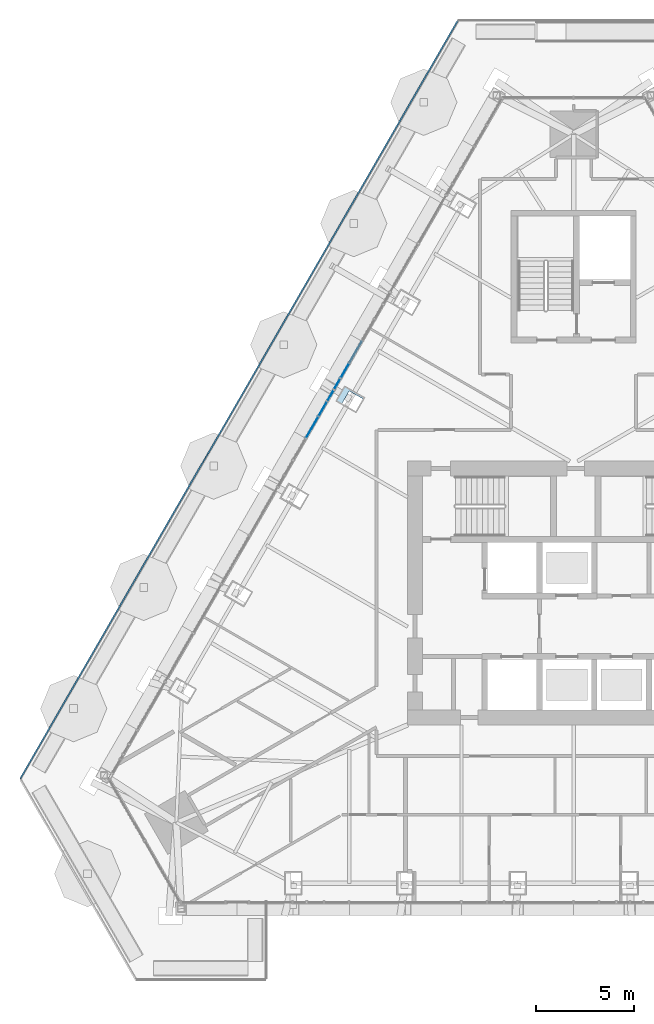
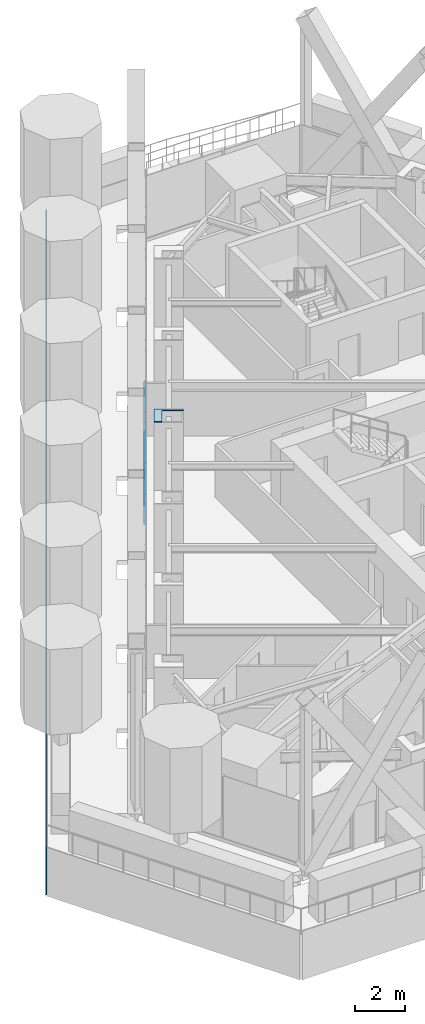
# One storey, part 12 of 24: 9 plates, 1 element without a shape of its own.
"""IFC4 building model written with IfcOpenShell, lengths in metres."""

from ifc_helpers import new_model, si_unit, direction, frame, origin, place, context, subcontext, project, spatial, polyline, outline, extrude, material, layer, layer_set, type_object, element, aggregate, save


model = new_model("IFC4")

# Units and contexts
model_context = context("Model", 3, precision=1e-05, world=origin(), true_north=direction((0.0, 1.0)))
body_context = subcontext(model_context, "Body", "Model", "MODEL_VIEW")
ifc_project = project(units=[si_unit("LENGTHUNIT", "METRE"), si_unit("AREAUNIT", "SQUARE_METRE"), si_unit("VOLUMEUNIT", "CUBIC_METRE"), si_unit("PLANEANGLEUNIT", "RADIAN"), si_unit("MASSUNIT", "GRAM", prefix="KILO")], contexts=[model_context])

# Site, building, storey
site_placement = place(None, origin())
site = spatial("IfcSite", under=ifc_project, at=site_placement, CompositionType="ELEMENT")
building_placement = place(site_placement, origin())
building = spatial("IfcBuilding", under=site, at=building_placement, Name="Firuza Gate Tower and Library", CompositionType="ELEMENT")
storey_placement = place(building_placement, frame((0.0, 0.0, 323.10009765625)))
storey = spatial("IfcBuildingStorey", under=building, at=storey_placement, Name="L79", CompositionType="ELEMENT", Elevation=323.10009765625)

# Plate
ifc_material_1 = material(Name="Steel S355", Category="steel")
ifc_layer_1 = layer(ifc_material_1, 0.030029296875)
ifc_layer_set_1 = layer_set([ifc_layer_1], Name="Column infill plate 30 Steel S355")
plate_type_1 = type_object("IfcPlateType", Name="Column infill plate 30 Steel S355", PredefinedType="SHEET", material=ifc_layer_set_1)
plate_1_placement = place(storey_placement, frame((0.0, 0.0, 3.5)))
element("IfcPlate", 1, at=plate_1_placement, inside=storey, type_object=plate_type_1, Name="Infill plate L79:W3", PredefinedType="SHEET", context=body_context, shape_type="SweptSolid", body=[
    extrude(outline(polyline([(62.81884765625, 84.82958984375), (63.11083984375, 84.660888671875), (63.50634765625, 85.34619140625), (64.253662109375, 84.914794921875), (64.30810546875, 85.009033203125), (63.268798828125, 85.60888671875), (62.81884765625, 84.82958984375)])), origin(), (0.0, 0.0, 1.0), 0.02978515625),
])

# Curtain wall, plates
ifc_material_2 = material(Name="Aluminium 6063-T6", Category="aluminium")
ifc_layer_2 = layer(ifc_material_2, 0.14990234375)
ifc_layer_set_2 = layer_set([ifc_layer_2], Name="Unitised curtain wall, residences")
curtain_wall_type = type_object("IfcCurtainWallType", Name="Unitised curtain wall, residences", PredefinedType="NOTDEFINED", material=ifc_layer_set_2)
curtain_wall_placement = place(storey_placement, origin())
curtain_wall = element("IfcCurtainWall", 2, at=curtain_wall_placement, inside=storey, type_object=curtain_wall_type, Name="CW3 L79 W face", PredefinedType="NOTDEFINED")
ifc_material_3 = material(Name="Fritted glass", Category="glass")
ifc_layer_3 = layer(ifc_material_3, 0.030029296875)
ifc_layer_set_3 = layer_set([ifc_layer_3], Name="Fritted glass unit, residences")
plate_type_2 = type_object("IfcPlateType", Name="Fritted glass unit, residences", PredefinedType="CURTAIN_PANEL", material=ifc_layer_set_3)
plate_2_placement = place(storey_placement, frame((63.03173828125, 85.978515625, 1.71484375), z_axis=(-0.866225865565, 0.49965262916, 0.0), x_axis=(-0.49965262916, -0.866225865565, 0.0)))
plate_2 = element("IfcPlate", 3, at=plate_2_placement, type_object=plate_type_2, Name="Glass unit", PredefinedType="CURTAIN_PANEL", context=body_context, shape_type="SweptSolid", body=[
    extrude(outline(polyline([(0.0, 0.0), (0.6054010661041128, 0.0), (0.6054010661041128, 1.485107421875), (0.0, 1.485107421875), (0.0, 0.0)])), origin(), (0.0, 0.0, -1.0), 0.030029296875),
])
plate_3_placement = place(storey_placement, frame((61.89990234375, 84.017822265625, 0.14990234375), z_axis=(-0.865992225662, 0.50005746179, 0.0), x_axis=(-0.50005746179, -0.865992225662, 0.0)))
plate_3 = element("IfcPlate", 4, at=plate_3_placement, type_object=plate_type_2, Name="Glass unit", PredefinedType="CURTAIN_PANEL", context=body_context, shape_type="SweptSolid", body=[
    extrude(outline(polyline([(0.0, 0.0), (1.219586403263678, 0.0), (1.219586403263678, 1.485107421875), (0.0, 1.485107421875), (0.0, 0.0)])), origin(), (0.0, 0.0, -1.0), 0.030029296875),
])
plate_4_placement = place(storey_placement, frame((62.689208984375, 85.385009765625, 1.71484375), z_axis=(-0.866021029023, 0.500007577232, 0.0), x_axis=(-0.500007577232, -0.866021029023, 0.0)))
plate_4 = element("IfcPlate", 5, at=plate_4_placement, type_object=plate_type_2, Name="Glass unit", PredefinedType="CURTAIN_PANEL", context=body_context, shape_type="SweptSolid", body=[
    extrude(outline(polyline([(0.0, 0.0), (0.6176664208468123, 0.0), (0.6176664208468123, 1.485107421875), (0.0, 1.485107421875), (0.0, 0.0)])), origin(), (0.0, 0.0, -1.0), 0.030029296875),
])
ifc_material_4 = material(Name="Glazed ceramic tile")
ifc_layer_4 = layer(ifc_material_4, 0.030029296875)
ifc_layer_set_4 = layer_set([ifc_layer_4], Name="Opaque ceramic panel, residences")
plate_type_3 = type_object("IfcPlateType", Name="Opaque ceramic panel, residences", PredefinedType="CURTAIN_PANEL", material=ifc_layer_set_4)
plate_5_placement = place(storey_placement, frame((63.47216796875, 86.7412109375, 0.14990234375), z_axis=(-0.866081639095, 0.499902584933, 0.0), x_axis=(-0.499902584933, -0.866081639095, 0.0)))
plate_5 = element("IfcPlate", 6, at=plate_5_placement, type_object=plate_type_3, Name="Opaque ceramic panel", PredefinedType="CURTAIN_PANEL", context=body_context, shape_type="SweptSolid", body=[
    extrude(outline(polyline([(0.0, 0.0), (1.4861293865379444, 0.0), (1.4861293865379444, 1.485107421875), (0.0, 1.485107421875), (0.0, 0.0)])), origin(), (0.0, 0.0, -1.0), 0.030029296875),
])
plate_6_placement = place(storey_placement, frame((64.128173828125, 87.87744140625, 1.71484375), z_axis=(-0.866037425094, 0.499979177903, 0.0), x_axis=(-0.499979177903, -0.866037425094, 0.0)))
plate_6 = element("IfcPlate", 7, at=plate_6_placement, type_object=plate_type_3, Name="Opaque ceramic panel", PredefinedType="CURTAIN_PANEL", context=body_context, shape_type="SweptSolid", body=[
    extrude(outline(polyline([(0.0, 0.0), (2.112880957975046, 0.0), (2.112880957975046, 1.485107421875), (0.0, 1.485107421875), (0.0, 0.0)])), origin(), (0.0, 0.0, -1.0), 0.030029296875),
])
plate_7_placement = place(storey_placement, frame((62.689208984375, 85.385009765625, 0.14990234375), z_axis=(-0.866039090965, 0.499976292358, 0.0), x_axis=(-0.499976292358, -0.866039090965, 0.0)))
plate_7 = element("IfcPlate", 8, at=plate_7_placement, type_object=plate_type_3, Name="Opaque ceramic panel", PredefinedType="CURTAIN_PANEL", context=body_context, shape_type="SweptSolid", body=[
    extrude(outline(polyline([(0.0, 0.0), (1.4986062130903484, 0.0), (1.4986062130903484, 1.485107421875), (0.0, 1.485107421875), (0.0, 0.0)])), origin(), (0.0, 0.0, -1.0), 0.030029296875),
])
plate_8_placement = place(storey_placement, frame((62.34033203125, 84.78076171875, 1.71484375), z_axis=(-0.866017192888, 0.50001422142, 0.0), x_axis=(-0.50001422142, -0.866017192888, 0.0)))
plate_8 = element("IfcPlate", 9, at=plate_8_placement, type_object=plate_type_3, Name="Opaque ceramic panel", PredefinedType="CURTAIN_PANEL", context=body_context, shape_type="SweptSolid", body=[
    extrude(outline(polyline([(0.0, 0.0), (2.100526192567854, 0.0), (2.100526192567854, 1.485107421875), (0.0, 1.485107421875), (0.0, 0.0)])), origin(), (0.0, 0.0, -1.0), 0.030029296875),
])
aggregate(curtain_wall, [plate_5, plate_6, plate_2, plate_7, plate_3, plate_4, plate_8])

# Plate
ifc_material_5 = material(Name="Aluminium 6063-T6", Category="aluminium")
ifc_layer_5 = layer(ifc_material_5, 0.050048828125)
ifc_layer_set_5 = layer_set([ifc_layer_5], Name="Tray fascia panel 50")
plate_type_4 = type_object("IfcPlateType", Name="Tray fascia panel 50", PredefinedType="SHEET", material=ifc_layer_set_5)
plate_9_placement = place(storey_placement, frame((69.031982421875, 104.2919921875, -2.400146484375), z_axis=(-0.866033379358, 0.499986185646, 0.0), x_axis=(-0.499986185646, -0.866033379358, 0.0)))
element("IfcPlate", 10, at=plate_9_placement, inside=storey, type_object=plate_type_4, Name="Tray fascia L79 3", PredefinedType="SHEET", context=body_context, shape_type="SweptSolid", body=[
    extrude(outline(polyline([(0.0, 0.0), (44.7673501452893, 0.0), (44.7673501452893, 2.400146484375), (0.0, 2.400146484375), (0.0, 0.0)])), origin(), (0.0, 0.0, -1.0), 0.050048828125),
])

save(model, "model.ifc")
